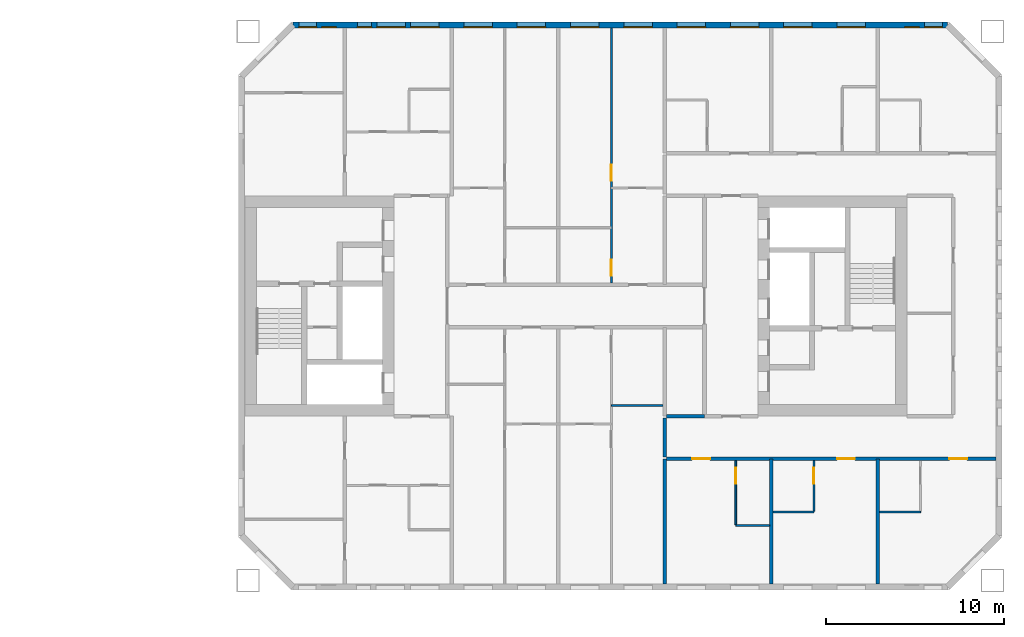
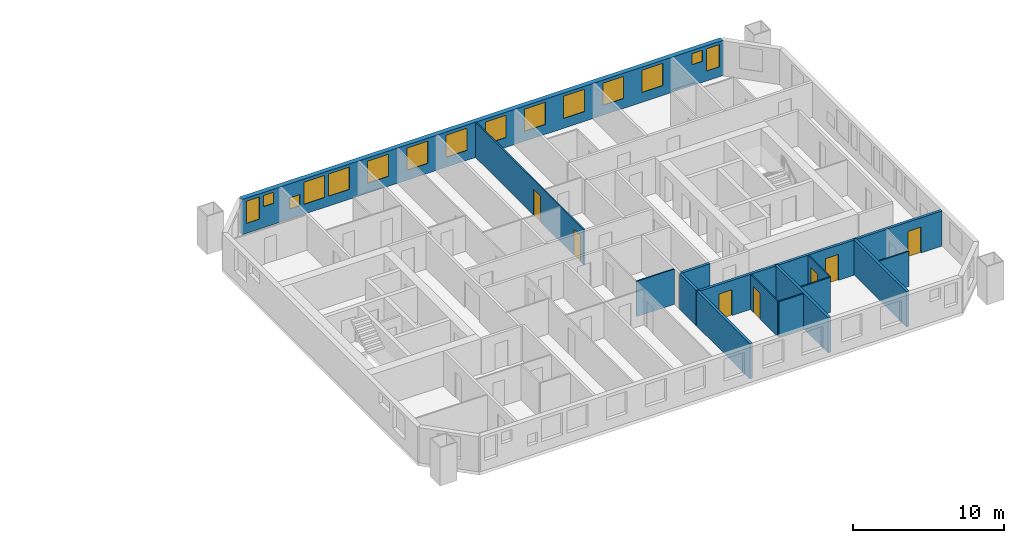
# One storey, part 12 of 17: 15 windows, 14 walls, 7 doors, 22 openings.
"""IFC4 building model written with IfcOpenShell, lengths in metres."""

from ifc_helpers import new_model, si_unit, direction, frame, frame_2d, origin, place, context, subcontext, project, spatial, rectangle, extrude, material, layer, layer_set, type_object, element, fill, save


model = new_model("IFC4")

# Units and contexts
model_context = context("Model", 3, precision=1e-05, world=origin(), true_north=direction((0.0, 1.0)))
body_context = subcontext(model_context, "Body", "Model", "MODEL_VIEW")
ifc_project = project(units=[si_unit("LENGTHUNIT", "METRE"), si_unit("AREAUNIT", "SQUARE_METRE"), si_unit("VOLUMEUNIT", "CUBIC_METRE"), si_unit("PLANEANGLEUNIT", "RADIAN"), si_unit("MASSUNIT", "GRAM", prefix="KILO")], contexts=[model_context])

# Site, building, storey
site_placement = place(None, origin())
site = spatial("IfcSite", under=ifc_project, at=site_placement, CompositionType="ELEMENT")
building_placement = place(site_placement, origin())
building = spatial("IfcBuilding", under=site, at=building_placement, Name="Tuart Gate Housing", CompositionType="ELEMENT")
storey_placement = place(building_placement, frame((0.0, 0.0, 99.5)))
storey = spatial("IfcBuildingStorey", under=building, at=storey_placement, Name="L27", CompositionType="ELEMENT", Elevation=99.5)

# Wall, openings, windows
ifc_material_1 = material(Name="Brick", Category="masonry")
ifc_layer_1 = layer(ifc_material_1, 0.360107421875)
ifc_layer_set_1 = layer_set([ifc_layer_1], Name="Brick pier and spandrel wall 360")
wall_type_1 = type_object("IfcWallType", Name="Brick pier and spandrel wall 360", PredefinedType="STANDARD", material=ifc_layer_set_1)
wall_1_placement = place(storey_placement, frame((170.92529296875, 85.820068359375, 0.0), z_axis=(0.0, 0.0, 1.0), x_axis=(-1.0, 0.0, 0.0)))
wall_1 = element("IfcWall", 1, at=wall_1_placement, inside=storey, type_object=wall_type_1, Name="External wall B-N L27", PredefinedType="STANDARD", context=body_context, shape_type="SweptSolid", body=[
    extrude(rectangle(XDim=36.850830078125, YDim=0.360107421875, at=frame_2d((18.42529296875, 0.0))), origin(), (0.0, 0.0, 1.0), 2.85009765625),
])
opening_1_placement = place(wall_1_placement, frame((0.300048828125, 0.0, 0.800048828125)))
opening_1 = element("IfcOpeningElement", 2, at=opening_1_placement, cuts=wall_1, Name="Opening W1C", PredefinedType="OPENING", context=body_context, shape_type="SweptSolid", body=[
    extrude(rectangle(XDim=1.0, YDim=1.800048828125, at=frame_2d((0.5, 0.89990234375))), frame((0.0, 0.18994140625, 0.0), z_axis=(0.0, -1.0, 0.0), x_axis=(1.0, 0.0, 0.0)), (0.0, 0.0, 1.0), 0.380126953125),
])
opening_2_placement = place(wall_1_placement, frame((4.62548828125, 0.0, 0.800048828125)))
opening_2 = element("IfcOpeningElement", 3, at=opening_2_placement, cuts=wall_1, Name="Opening W1", PredefinedType="OPENING", context=body_context, shape_type="SweptSolid", body=[
    extrude(rectangle(XDim=1.60009765625, YDim=1.800048828125, at=frame_2d((0.800048828125, 0.89990234375))), frame((0.0, 0.18994140625, 0.0), z_axis=(0.0, -1.0, 0.0), x_axis=(1.0, 0.0, 0.0)), (0.0, 0.0, 1.0), 0.380126953125),
])
opening_3_placement = place(wall_1_placement, frame((7.62548828125, 0.0, 0.800048828125)))
opening_3 = element("IfcOpeningElement", 4, at=opening_3_placement, cuts=wall_1, Name="Opening W1", PredefinedType="OPENING", context=body_context, shape_type="SweptSolid", body=[
    extrude(rectangle(XDim=1.60009765625, YDim=1.800048828125, at=frame_2d((0.800048828125, 0.89990234375))), frame((0.0, 0.18994140625, 0.0), z_axis=(0.0, -1.0, 0.0), x_axis=(1.0, 0.0, 0.0)), (0.0, 0.0, 1.0), 0.380126953125),
])
opening_4_placement = place(wall_1_placement, frame((10.62548828125, 0.0, 0.800048828125)))
opening_4 = element("IfcOpeningElement", 5, at=opening_4_placement, cuts=wall_1, Name="Opening W1", PredefinedType="OPENING", context=body_context, shape_type="SweptSolid", body=[
    extrude(rectangle(XDim=1.60009765625, YDim=1.800048828125, at=frame_2d((0.800048828125, 0.89990234375))), frame((0.0, 0.18994140625, 0.0), z_axis=(0.0, -1.0, 0.0), x_axis=(1.0, 0.0, 0.0)), (0.0, 0.0, 1.0), 0.380126953125),
])
opening_5_placement = place(wall_1_placement, frame((13.62548828125, 0.0, 0.800048828125)))
opening_5 = element("IfcOpeningElement", 6, at=opening_5_placement, cuts=wall_1, Name="Opening W1", PredefinedType="OPENING", context=body_context, shape_type="SweptSolid", body=[
    extrude(rectangle(XDim=1.60009765625, YDim=1.800048828125, at=frame_2d((0.800048828125, 0.89990234375))), frame((0.0, 0.18994140625, 0.0), z_axis=(0.0, -1.0, 0.0), x_axis=(1.0, 0.0, 0.0)), (0.0, 0.0, 1.0), 0.380126953125),
])
opening_6_placement = place(wall_1_placement, frame((16.62548828125, 0.0, 0.800048828125)))
opening_6 = element("IfcOpeningElement", 7, at=opening_6_placement, cuts=wall_1, Name="Opening W1", PredefinedType="OPENING", context=body_context, shape_type="SweptSolid", body=[
    extrude(rectangle(XDim=1.60009765625, YDim=1.800048828125, at=frame_2d((0.800048828125, 0.89990234375))), frame((0.0, 0.18994140625, 0.0), z_axis=(0.0, -1.0, 0.0), x_axis=(1.0, 0.0, 0.0)), (0.0, 0.0, 1.0), 0.380126953125),
])
opening_7_placement = place(wall_1_placement, frame((19.62548828125, 0.0, 0.800048828125)))
opening_7 = element("IfcOpeningElement", 8, at=opening_7_placement, cuts=wall_1, Name="Opening W1", PredefinedType="OPENING", context=body_context, shape_type="SweptSolid", body=[
    extrude(rectangle(XDim=1.60009765625, YDim=1.800048828125, at=frame_2d((0.800048828125, 0.89990234375))), frame((0.0, 0.18994140625, 0.0), z_axis=(0.0, -1.0, 0.0), x_axis=(1.0, 0.0, 0.0)), (0.0, 0.0, 1.0), 0.380126953125),
])
opening_8_placement = place(wall_1_placement, frame((22.62548828125, 0.0, 0.800048828125)))
opening_8 = element("IfcOpeningElement", 9, at=opening_8_placement, cuts=wall_1, Name="Opening W1", PredefinedType="OPENING", context=body_context, shape_type="SweptSolid", body=[
    extrude(rectangle(XDim=1.60009765625, YDim=1.800048828125, at=frame_2d((0.800048828125, 0.89990234375))), frame((0.0, 0.18994140625, 0.0), z_axis=(0.0, -1.0, 0.0), x_axis=(1.0, 0.0, 0.0)), (0.0, 0.0, 1.0), 0.380126953125),
])
opening_9_placement = place(wall_1_placement, frame((25.62548828125, 0.0, 0.800048828125)))
opening_9 = element("IfcOpeningElement", 10, at=opening_9_placement, cuts=wall_1, Name="Opening W1", PredefinedType="OPENING", context=body_context, shape_type="SweptSolid", body=[
    extrude(rectangle(XDim=1.60009765625, YDim=1.800048828125, at=frame_2d((0.800048828125, 0.89990234375))), frame((0.0, 0.18994140625, 0.0), z_axis=(0.0, -1.0, 0.0), x_axis=(1.0, 0.0, 0.0)), (0.0, 0.0, 1.0), 0.380126953125),
])
opening_10_placement = place(wall_1_placement, frame((28.62548828125, 0.0, 0.800048828125)))
opening_10 = element("IfcOpeningElement", 11, at=opening_10_placement, cuts=wall_1, Name="Opening W1", PredefinedType="OPENING", context=body_context, shape_type="SweptSolid", body=[
    extrude(rectangle(XDim=1.60009765625, YDim=1.800048828125, at=frame_2d((0.800048828125, 0.89990234375))), frame((0.0, 0.18994140625, 0.0), z_axis=(0.0, -1.0, 0.0), x_axis=(1.0, 0.0, 0.0)), (0.0, 0.0, 1.0), 0.380126953125),
])
opening_11_placement = place(wall_1_placement, frame((30.525390625, 0.0, 0.800048828125)))
opening_11 = element("IfcOpeningElement", 12, at=opening_11_placement, cuts=wall_1, Name="Opening W1", PredefinedType="OPENING", context=body_context, shape_type="SweptSolid", body=[
    extrude(rectangle(XDim=1.60009765625, YDim=1.800048828125, at=frame_2d((0.800048828125, 0.89990234375))), frame((0.0, 0.18994140625, 0.0), z_axis=(0.0, -1.0, 0.0), x_axis=(1.0, 0.0, 0.0)), (0.0, 0.0, 1.0), 0.380126953125),
])
opening_12_placement = place(wall_1_placement, frame((34.42529296875, 0.0, 1.699951171875)))
opening_12 = element("IfcOpeningElement", 13, at=opening_12_placement, cuts=wall_1, Name="Opening W1V", PredefinedType="OPENING", context=body_context, shape_type="SweptSolid", body=[
    extrude(rectangle(XDim=0.800048828125, YDim=0.89990234375, at=frame_2d((0.39990234375, 0.449951171875))), frame((0.0, 0.18994140625, 0.0), z_axis=(0.0, -1.0, 0.0), x_axis=(1.0, 0.0, 0.0)), (0.0, 0.0, 1.0), 0.380126953125),
])
opening_13_placement = place(wall_1_placement, frame((1.60009765625, 0.0, 1.699951171875)))
opening_13 = element("IfcOpeningElement", 14, at=opening_13_placement, cuts=wall_1, Name="Opening W1V", PredefinedType="OPENING", context=body_context, shape_type="SweptSolid", body=[
    extrude(rectangle(XDim=0.800048828125, YDim=0.89990234375, at=frame_2d((0.39990234375, 0.449951171875))), frame((0.0, 0.18994140625, 0.0), z_axis=(0.0, -1.0, 0.0), x_axis=(1.0, 0.0, 0.0)), (0.0, 0.0, 1.0), 0.380126953125),
])
opening_14_placement = place(wall_1_placement, frame((32.42529296875, 0.0, 0.800048828125)))
opening_14 = element("IfcOpeningElement", 15, at=opening_14_placement, cuts=wall_1, Name="Opening W1V", PredefinedType="OPENING", context=body_context, shape_type="SweptSolid", body=[
    extrude(rectangle(XDim=0.800048828125, YDim=0.89990234375, at=frame_2d((0.39990234375, 0.449951171875))), frame((0.0, 0.18994140625, 0.0), z_axis=(0.0, -1.0, 0.0), x_axis=(1.0, 0.0, 0.0)), (0.0, 0.0, 1.0), 0.380126953125),
])
opening_15_placement = place(wall_1_placement, frame((35.525390625, 0.0, 0.800048828125)))
opening_15 = element("IfcOpeningElement", 16, at=opening_15_placement, cuts=wall_1, Name="Opening W1C", PredefinedType="OPENING", context=body_context, shape_type="SweptSolid", body=[
    extrude(rectangle(XDim=1.0, YDim=1.800048828125, at=frame_2d((0.5, 0.89990234375))), frame((0.0, 0.18994140625, 0.0), z_axis=(0.0, -1.0, 0.0), x_axis=(1.0, 0.0, 0.0)), (0.0, 0.0, 1.0), 0.380126953125),
])
ifc_material_2 = material(Name="Aluminium frame with clear glass", Category="aluminium")
window_type_1 = type_object("IfcWindowType", Name="Punched window 1000 x 1800", PartitioningType="SINGLE_PANEL", PredefinedType="WINDOW", material=ifc_material_2)
window_1_placement = place(opening_1_placement, origin())
window_1 = element("IfcWindow", 17, at=window_1_placement, inside=storey, type_object=window_type_1, Name="Window W1C", OverallHeight=1.800048828125, OverallWidth=1.0, PartitioningType="SINGLE_PANEL", PredefinedType="WINDOW", context=body_context, shape_type="SweptSolid", body=[
    extrude(rectangle(XDim=1.0, YDim=1.800048828125, at=frame_2d((0.5, 0.89990234375))), frame((0.0, 0.150146484375, 0.0), z_axis=(0.0, -1.0, 0.0), x_axis=(1.0, 0.0, 0.0)), (0.0, 0.0, 1.0), 0.06005859375),
])
fill(opening_1, window_1)
window_2_placement = place(opening_15_placement, origin())
window_2 = element("IfcWindow", 18, at=window_2_placement, inside=storey, type_object=window_type_1, Name="Window W1C", OverallHeight=1.800048828125, OverallWidth=1.0, PartitioningType="SINGLE_PANEL", PredefinedType="WINDOW", context=body_context, shape_type="SweptSolid", body=[
    extrude(rectangle(XDim=1.0, YDim=1.800048828125, at=frame_2d((0.5, 0.89990234375))), frame((0.0, 0.150146484375, 0.0), z_axis=(0.0, -1.0, 0.0), x_axis=(1.0, 0.0, 0.0)), (0.0, 0.0, 1.0), 0.06005859375),
])
fill(opening_15, window_2)
ifc_material_3 = material(Name="Aluminium frame with clear glass", Category="aluminium")
window_type_2 = type_object("IfcWindowType", Name="Punched window 1600 x 1800", PartitioningType="SINGLE_PANEL", PredefinedType="WINDOW", material=ifc_material_3)
window_3_placement = place(opening_2_placement, origin())
window_3 = element("IfcWindow", 19, at=window_3_placement, inside=storey, type_object=window_type_2, Name="Window W1", OverallHeight=1.800048828125, OverallWidth=1.60009765625, PartitioningType="SINGLE_PANEL", PredefinedType="WINDOW", context=body_context, shape_type="SweptSolid", body=[
    extrude(rectangle(XDim=1.60009765625, YDim=1.800048828125, at=frame_2d((0.800048828125, 0.89990234375))), frame((0.0, 0.150146484375, 0.0), z_axis=(0.0, -1.0, 0.0), x_axis=(1.0, 0.0, 0.0)), (0.0, 0.0, 1.0), 0.06005859375),
])
fill(opening_2, window_3)
window_4_placement = place(opening_3_placement, origin())
window_4 = element("IfcWindow", 20, at=window_4_placement, inside=storey, type_object=window_type_2, Name="Window W1", OverallHeight=1.800048828125, OverallWidth=1.60009765625, PartitioningType="SINGLE_PANEL", PredefinedType="WINDOW", context=body_context, shape_type="SweptSolid", body=[
    extrude(rectangle(XDim=1.60009765625, YDim=1.800048828125, at=frame_2d((0.800048828125, 0.89990234375))), frame((0.0, 0.150146484375, 0.0), z_axis=(0.0, -1.0, 0.0), x_axis=(1.0, 0.0, 0.0)), (0.0, 0.0, 1.0), 0.06005859375),
])
fill(opening_3, window_4)
window_5_placement = place(opening_4_placement, origin())
window_5 = element("IfcWindow", 21, at=window_5_placement, inside=storey, type_object=window_type_2, Name="Window W1", OverallHeight=1.800048828125, OverallWidth=1.60009765625, PartitioningType="SINGLE_PANEL", PredefinedType="WINDOW", context=body_context, shape_type="SweptSolid", body=[
    extrude(rectangle(XDim=1.60009765625, YDim=1.800048828125, at=frame_2d((0.800048828125, 0.89990234375))), frame((0.0, 0.150146484375, 0.0), z_axis=(0.0, -1.0, 0.0), x_axis=(1.0, 0.0, 0.0)), (0.0, 0.0, 1.0), 0.06005859375),
])
fill(opening_4, window_5)
window_6_placement = place(opening_5_placement, origin())
window_6 = element("IfcWindow", 22, at=window_6_placement, inside=storey, type_object=window_type_2, Name="Window W1", OverallHeight=1.800048828125, OverallWidth=1.60009765625, PartitioningType="SINGLE_PANEL", PredefinedType="WINDOW", context=body_context, shape_type="SweptSolid", body=[
    extrude(rectangle(XDim=1.60009765625, YDim=1.800048828125, at=frame_2d((0.800048828125, 0.89990234375))), frame((0.0, 0.150146484375, 0.0), z_axis=(0.0, -1.0, 0.0), x_axis=(1.0, 0.0, 0.0)), (0.0, 0.0, 1.0), 0.06005859375),
])
fill(opening_5, window_6)
window_7_placement = place(opening_6_placement, origin())
window_7 = element("IfcWindow", 23, at=window_7_placement, inside=storey, type_object=window_type_2, Name="Window W1", OverallHeight=1.800048828125, OverallWidth=1.60009765625, PartitioningType="SINGLE_PANEL", PredefinedType="WINDOW", context=body_context, shape_type="SweptSolid", body=[
    extrude(rectangle(XDim=1.60009765625, YDim=1.800048828125, at=frame_2d((0.800048828125, 0.89990234375))), frame((0.0, 0.150146484375, 0.0), z_axis=(0.0, -1.0, 0.0), x_axis=(1.0, 0.0, 0.0)), (0.0, 0.0, 1.0), 0.06005859375),
])
fill(opening_6, window_7)
window_8_placement = place(opening_7_placement, origin())
window_8 = element("IfcWindow", 24, at=window_8_placement, inside=storey, type_object=window_type_2, Name="Window W1", OverallHeight=1.800048828125, OverallWidth=1.60009765625, PartitioningType="SINGLE_PANEL", PredefinedType="WINDOW", context=body_context, shape_type="SweptSolid", body=[
    extrude(rectangle(XDim=1.60009765625, YDim=1.800048828125, at=frame_2d((0.800048828125, 0.89990234375))), frame((0.0, 0.150146484375, 0.0), z_axis=(0.0, -1.0, 0.0), x_axis=(1.0, 0.0, 0.0)), (0.0, 0.0, 1.0), 0.06005859375),
])
fill(opening_7, window_8)
window_9_placement = place(opening_8_placement, origin())
window_9 = element("IfcWindow", 25, at=window_9_placement, inside=storey, type_object=window_type_2, Name="Window W1", OverallHeight=1.800048828125, OverallWidth=1.60009765625, PartitioningType="SINGLE_PANEL", PredefinedType="WINDOW", context=body_context, shape_type="SweptSolid", body=[
    extrude(rectangle(XDim=1.60009765625, YDim=1.800048828125, at=frame_2d((0.800048828125, 0.89990234375))), frame((0.0, 0.150146484375, 0.0), z_axis=(0.0, -1.0, 0.0), x_axis=(1.0, 0.0, 0.0)), (0.0, 0.0, 1.0), 0.06005859375),
])
fill(opening_8, window_9)
window_10_placement = place(opening_9_placement, origin())
window_10 = element("IfcWindow", 26, at=window_10_placement, inside=storey, type_object=window_type_2, Name="Window W1", OverallHeight=1.800048828125, OverallWidth=1.60009765625, PartitioningType="SINGLE_PANEL", PredefinedType="WINDOW", context=body_context, shape_type="SweptSolid", body=[
    extrude(rectangle(XDim=1.60009765625, YDim=1.800048828125, at=frame_2d((0.800048828125, 0.89990234375))), frame((0.0, 0.150146484375, 0.0), z_axis=(0.0, -1.0, 0.0), x_axis=(1.0, 0.0, 0.0)), (0.0, 0.0, 1.0), 0.06005859375),
])
fill(opening_9, window_10)
window_11_placement = place(opening_10_placement, origin())
window_11 = element("IfcWindow", 27, at=window_11_placement, inside=storey, type_object=window_type_2, Name="Window W1", OverallHeight=1.800048828125, OverallWidth=1.60009765625, PartitioningType="SINGLE_PANEL", PredefinedType="WINDOW", context=body_context, shape_type="SweptSolid", body=[
    extrude(rectangle(XDim=1.60009765625, YDim=1.800048828125, at=frame_2d((0.800048828125, 0.89990234375))), frame((0.0, 0.150146484375, 0.0), z_axis=(0.0, -1.0, 0.0), x_axis=(1.0, 0.0, 0.0)), (0.0, 0.0, 1.0), 0.06005859375),
])
fill(opening_10, window_11)
window_12_placement = place(opening_11_placement, origin())
window_12 = element("IfcWindow", 28, at=window_12_placement, inside=storey, type_object=window_type_2, Name="Window W1", OverallHeight=1.800048828125, OverallWidth=1.60009765625, PartitioningType="SINGLE_PANEL", PredefinedType="WINDOW", context=body_context, shape_type="SweptSolid", body=[
    extrude(rectangle(XDim=1.60009765625, YDim=1.800048828125, at=frame_2d((0.800048828125, 0.89990234375))), frame((0.0, 0.150146484375, 0.0), z_axis=(0.0, -1.0, 0.0), x_axis=(1.0, 0.0, 0.0)), (0.0, 0.0, 1.0), 0.06005859375),
])
fill(opening_11, window_12)
ifc_material_4 = material(Name="Aluminium frame with clear glass", Category="aluminium")
window_type_3 = type_object("IfcWindowType", Name="Punched window 800 x 900", PartitioningType="SINGLE_PANEL", PredefinedType="WINDOW", material=ifc_material_4)
window_13_placement = place(opening_12_placement, origin())
window_13 = element("IfcWindow", 29, at=window_13_placement, inside=storey, type_object=window_type_3, Name="Window W1V", OverallHeight=0.89990234375, OverallWidth=0.800048828125, PartitioningType="SINGLE_PANEL", PredefinedType="WINDOW", context=body_context, shape_type="SweptSolid", body=[
    extrude(rectangle(XDim=0.800048828125, YDim=0.89990234375, at=frame_2d((0.39990234375, 0.449951171875))), frame((0.0, 0.150146484375, 0.0), z_axis=(0.0, -1.0, 0.0), x_axis=(1.0, 0.0, 0.0)), (0.0, 0.0, 1.0), 0.06005859375),
])
fill(opening_12, window_13)
window_14_placement = place(opening_13_placement, origin())
window_14 = element("IfcWindow", 30, at=window_14_placement, inside=storey, type_object=window_type_3, Name="Window W1V", OverallHeight=0.89990234375, OverallWidth=0.800048828125, PartitioningType="SINGLE_PANEL", PredefinedType="WINDOW", context=body_context, shape_type="SweptSolid", body=[
    extrude(rectangle(XDim=0.800048828125, YDim=0.89990234375, at=frame_2d((0.39990234375, 0.449951171875))), frame((0.0, 0.150146484375, 0.0), z_axis=(0.0, -1.0, 0.0), x_axis=(1.0, 0.0, 0.0)), (0.0, 0.0, 1.0), 0.06005859375),
])
fill(opening_13, window_14)
window_15_placement = place(opening_14_placement, origin())
window_15 = element("IfcWindow", 31, at=window_15_placement, inside=storey, type_object=window_type_3, Name="Window W1V", OverallHeight=0.89990234375, OverallWidth=0.800048828125, PartitioningType="SINGLE_PANEL", PredefinedType="WINDOW", context=body_context, shape_type="SweptSolid", body=[
    extrude(rectangle(XDim=0.800048828125, YDim=0.89990234375, at=frame_2d((0.39990234375, 0.449951171875))), frame((0.0, 0.150146484375, 0.0), z_axis=(0.0, -1.0, 0.0), x_axis=(1.0, 0.0, 0.0)), (0.0, 0.0, 1.0), 0.06005859375),
])
fill(opening_14, window_15)

# Wall, openings, doors
ifc_material_5 = material(Name="Concrete masonry 15 MPa", Category="masonry")
ifc_layer_2 = layer(ifc_material_5, 0.199951171875)
ifc_layer_set_2 = layer_set([ifc_layer_2], Name="Corridor wall masonry 200")
wall_type_2 = type_object("IfcWallType", Name="Corridor wall masonry 200", PredefinedType="PARTITIONING", material=ifc_layer_set_2)
wall_2_placement = place(storey_placement, frame((155.10009765625, 61.39990234375, 0.0), z_axis=(0.0, 0.0, 1.0), x_axis=(1.0, 0.0, 0.0)))
wall_2 = element("IfcWall", 32, at=wall_2_placement, inside=storey, type_object=wall_type_2, Name="Corridor wall masonry 200", PredefinedType="PARTITIONING", context=body_context, shape_type="SweptSolid", body=[
    extrude(rectangle(XDim=18.539794921875, YDim=0.199951171875, at=frame_2d((9.27001953125, 0.0))), origin(), (0.0, 0.0, 1.0), 2.85009765625),
])
opening_16_placement = place(wall_2_placement, frame((1.449951171875, 0.0, 0.0)))
opening_16 = element("IfcOpeningElement", 33, at=opening_16_placement, cuts=wall_2, Name="Opening D1168", PredefinedType="OPENING", context=body_context, shape_type="SweptSolid", body=[
    extrude(rectangle(XDim=1.0, YDim=2.10009765625, at=frame_2d((0.5, 1.050048828125))), frame((0.0, 0.10986328125, 0.0), z_axis=(0.0, -1.0, 0.0), x_axis=(1.0, 0.0, 0.0)), (0.0, 0.0, 1.0), 0.219970703125),
])
opening_17_placement = place(wall_2_placement, frame((9.60009765625, 0.0, 0.0)))
opening_17 = element("IfcOpeningElement", 34, at=opening_17_placement, cuts=wall_2, Name="Opening D1169", PredefinedType="OPENING", context=body_context, shape_type="SweptSolid", body=[
    extrude(rectangle(XDim=1.0, YDim=2.10009765625, at=frame_2d((0.5, 1.050048828125))), frame((0.0, 0.10986328125, 0.0), z_axis=(0.0, -1.0, 0.0), x_axis=(1.0, 0.0, 0.0)), (0.0, 0.0, 1.0), 0.219970703125),
])
opening_18_placement = place(wall_2_placement, frame((15.919921875, 0.0, 0.0)))
opening_18 = element("IfcOpeningElement", 35, at=opening_18_placement, cuts=wall_2, Name="Opening D1170", PredefinedType="OPENING", context=body_context, shape_type="SweptSolid", body=[
    extrude(rectangle(XDim=1.0, YDim=2.10009765625, at=frame_2d((0.5, 1.050048828125))), frame((0.0, 0.10986328125, 0.0), z_axis=(0.0, -1.0, 0.0), x_axis=(1.0, 0.0, 0.0)), (0.0, 0.0, 1.0), 0.219970703125),
])
ifc_material_6 = material(Name="Timber door leaf in steel frame", Category="steel")
door_type_1 = type_object("IfcDoorType", Name="Flat entrance door 1000", OperationType="SINGLE_SWING_LEFT", PredefinedType="DOOR", material=ifc_material_6)
door_1_placement = place(opening_16_placement, frame((1.0, 0.0, 0.0), z_axis=(0.0, 0.0, 1.0), x_axis=(-1.0, 0.0, 0.0)))
door_1 = element("IfcDoor", 36, at=door_1_placement, inside=storey, type_object=door_type_1, Name="Flat entrance door", OperationType="SINGLE_SWING_LEFT", OverallHeight=2.10009765625, OverallWidth=1.0, PredefinedType="DOOR", context=body_context, shape_type="SweptSolid", body=[
    extrude(rectangle(XDim=1.0, YDim=2.10009765625, at=frame_2d((0.5, 1.050048828125))), frame((0.0, 0.025146484375, 0.0), z_axis=(0.0, -1.0, 0.0), x_axis=(1.0, 0.0, 0.0)), (0.0, 0.0, 1.0), 0.050048828125),
])
fill(opening_16, door_1)
ifc_material_7 = material(Name="Timber door leaf in steel frame", Category="steel")
door_type_2 = type_object("IfcDoorType", Name="Flat entrance door 1000 RH", OperationType="SINGLE_SWING_RIGHT", PredefinedType="DOOR", material=ifc_material_7)
door_2_placement = place(opening_17_placement, frame((1.0, 0.0, 0.0), z_axis=(0.0, 0.0, 1.0), x_axis=(-1.0, 0.0, 0.0)))
door_2 = element("IfcDoor", 37, at=door_2_placement, inside=storey, type_object=door_type_2, Name="Flat entrance door", OperationType="SINGLE_SWING_RIGHT", OverallHeight=2.10009765625, OverallWidth=1.0, PredefinedType="DOOR", context=body_context, shape_type="SweptSolid", body=[
    extrude(rectangle(XDim=1.0, YDim=2.10009765625, at=frame_2d((0.5, 1.050048828125))), frame((0.0, 0.025146484375, 0.0), z_axis=(0.0, -1.0, 0.0), x_axis=(1.0, 0.0, 0.0)), (0.0, 0.0, 1.0), 0.050048828125),
])
fill(opening_17, door_2)
door_3_placement = place(opening_18_placement, frame((1.0, 0.0, 0.0), z_axis=(0.0, 0.0, 1.0), x_axis=(-1.0, 0.0, 0.0)))
door_3 = element("IfcDoor", 38, at=door_3_placement, inside=storey, type_object=door_type_2, Name="Flat entrance door", OperationType="SINGLE_SWING_RIGHT", OverallHeight=2.10009765625, OverallWidth=1.0, PredefinedType="DOOR", context=body_context, shape_type="SweptSolid", body=[
    extrude(rectangle(XDim=1.0, YDim=2.10009765625, at=frame_2d((0.5, 1.050048828125))), frame((0.0, 0.025146484375, 0.0), z_axis=(0.0, -1.0, 0.0), x_axis=(1.0, 0.0, 0.0)), (0.0, 0.0, 1.0), 0.050048828125),
])
fill(opening_18, door_3)

# Walls
wall_3_placement = place(storey_placement, frame((155.10009765625, 63.800048828125, 0.0), z_axis=(0.0, 0.0, 1.0), x_axis=(1.0, 0.0, 0.0)))
element("IfcWall", 39, at=wall_3_placement, inside=storey, type_object=wall_type_2, Name="Corridor wall masonry 200", PredefinedType="PARTITIONING", context=body_context, shape_type="SweptSolid", body=[
    extrude(rectangle(XDim=2.139892578125, YDim=0.199951171875, at=frame_2d((1.06982421875, 0.0))), origin(), (0.0, 0.0, 1.0), 2.85009765625),
])
wall_4_placement = place(storey_placement, frame((155.0, 61.5, 0.0), z_axis=(0.0, 0.0, 1.0), x_axis=(0.0, 1.0, 0.0)))
element("IfcWall", 40, at=wall_4_placement, inside=storey, type_object=wall_type_2, Name="Corridor wall masonry 200", PredefinedType="PARTITIONING", context=body_context, shape_type="SweptSolid", body=[
    extrude(rectangle(XDim=2.199951171875, YDim=0.199951171875, at=frame_2d((1.10009765625, 0.0))), origin(), (0.0, 0.0, 1.0), 2.85009765625),
])
ifc_material_8 = material(Name="Gypsum board on steel studs", Category="steel")
ifc_layer_3 = layer(ifc_material_8, 0.10009765625)
ifc_layer_set_3 = layer_set([ifc_layer_3], Name="Partition 100")
wall_type_3 = type_object("IfcWallType", Name="Partition 100", PredefinedType="PARTITIONING", material=ifc_layer_set_3)
wall_5_placement = place(storey_placement, frame((159.0, 57.64990234375, 0.0), z_axis=(0.0, 0.0, 1.0), x_axis=(1.0, 0.0, 0.0)))
element("IfcWall", 41, at=wall_5_placement, inside=storey, type_object=wall_type_3, Name="Partition 100", PredefinedType="PARTITIONING", context=body_context, shape_type="SweptSolid", body=[
    extrude(rectangle(XDim=1.89990234375, YDim=0.10009765625, at=frame_2d((0.949951171875, 0.0))), origin(), (0.0, 0.0, 1.0), 2.85009765625),
])
for number, where, z_axis, x_axis, name in (
    (42, (161.10009765625, 58.39990234375, 0.0), (0.0, 0.0, 1.0), (1.0, 0.0, 0.0), "Partition 100"),
    (43, (167.10009765625, 58.39990234375, 0.0), (0.0, 0.0, 1.0), (1.0, 0.0, 0.0), "Partition 100"),
):
    element("IfcWall", number, at=place(storey_placement, frame(where, z_axis=z_axis, x_axis=x_axis)), inside=storey, type_object=wall_type_3, Name=name, PredefinedType="PARTITIONING", context=body_context, shape_type="SweptSolid", body=[
        extrude(rectangle(XDim=2.2998046875, YDim=0.10009765625, at=frame_2d((1.14990234375, 0.0))), origin(), (0.0, 0.0, 1.0), 2.85009765625),
    ])
wall_6_placement = place(storey_placement, frame((152.0, 64.39990234375, 0.0), z_axis=(0.0, 0.0, 1.0), x_axis=(1.0, 0.0, 0.0)))
element("IfcWall", 44, at=wall_6_placement, inside=storey, type_object=wall_type_3, Name="Partition 100", PredefinedType="PARTITIONING", context=body_context, shape_type="SweptSolid", body=[
    extrude(rectangle(XDim=2.89990234375, YDim=0.10009765625, at=frame_2d((1.449951171875, 0.0))), origin(), (0.0, 0.0, 1.0), 2.85009765625),
])

# Wall, openings, doors
wall_7_placement = place(storey_placement, frame((152.0, 71.300048828125, 0.0), z_axis=(0.0, 0.0, 1.0), x_axis=(0.0, 1.0, 0.0)))
wall_7 = element("IfcWall", 45, at=wall_7_placement, inside=storey, type_object=wall_type_3, Name="Partition 100", PredefinedType="PARTITIONING", context=body_context, shape_type="SweptSolid", body=[
    extrude(rectangle(XDim=14.33984375, YDim=0.10009765625, at=frame_2d((7.169921875, 0.0))), origin(), (0.0, 0.0, 1.0), 2.85009765625),
])
opening_19_placement = place(wall_7_placement, frame((5.739990234375, 0.0, 0.0)))
opening_19 = element("IfcOpeningElement", 46, at=opening_19_placement, cuts=wall_7, Name="Opening D1138", PredefinedType="OPENING", context=body_context, shape_type="SweptSolid", body=[
    extrude(rectangle(XDim=0.89990234375, YDim=2.10009765625, at=frame_2d((0.449951171875, 1.050048828125))), frame((0.0, 0.06005859375, 0.0), z_axis=(0.0, -1.0, 0.0), x_axis=(1.0, 0.0, 0.0)), (0.0, 0.0, 1.0), 0.1201171875),
])
opening_20_placement = place(wall_7_placement, frame((0.39990234375, 0.0, 0.0)))
opening_20 = element("IfcOpeningElement", 47, at=opening_20_placement, cuts=wall_7, Name="Opening D1137", PredefinedType="OPENING", context=body_context, shape_type="SweptSolid", body=[
    extrude(rectangle(XDim=0.89990234375, YDim=2.10009765625, at=frame_2d((0.449951171875, 1.050048828125))), frame((0.0, 0.06005859375, 0.0), z_axis=(0.0, -1.0, 0.0), x_axis=(1.0, 0.0, 0.0)), (0.0, 0.0, 1.0), 0.1201171875),
])
ifc_material_9 = material(Name="Timber door leaf in steel frame", Category="steel")
door_type_3 = type_object("IfcDoorType", Name="Bathroom door 900", OperationType="SINGLE_SWING_LEFT", PredefinedType="DOOR", material=ifc_material_9)
door_4_placement = place(opening_20_placement, origin())
door_4 = element("IfcDoor", 48, at=door_4_placement, inside=storey, type_object=door_type_3, Name="Bathroom door", OperationType="SINGLE_SWING_LEFT", OverallHeight=2.10009765625, OverallWidth=0.89990234375, PredefinedType="DOOR", context=body_context, shape_type="SweptSolid", body=[
    extrude(rectangle(XDim=0.89990234375, YDim=2.10009765625, at=frame_2d((0.449951171875, 1.050048828125))), frame((0.0, 0.02490234375, 0.0), z_axis=(0.0, -1.0, 0.0), x_axis=(1.0, 0.0, 0.0)), (0.0, 0.0, 1.0), 0.050048828125),
])
fill(opening_20, door_4)
ifc_material_10 = material(Name="Timber door leaf in steel frame", Category="steel")
door_type_4 = type_object("IfcDoorType", Name="Internal door 900", OperationType="SINGLE_SWING_LEFT", PredefinedType="DOOR", material=ifc_material_10)
door_5_placement = place(opening_19_placement, origin())
door_5 = element("IfcDoor", 49, at=door_5_placement, inside=storey, type_object=door_type_4, Name="Internal door", OperationType="SINGLE_SWING_LEFT", OverallHeight=2.10009765625, OverallWidth=0.89990234375, PredefinedType="DOOR", context=body_context, shape_type="SweptSolid", body=[
    extrude(rectangle(XDim=0.89990234375, YDim=2.10009765625, at=frame_2d((0.449951171875, 1.050048828125))), frame((0.0, 0.02490234375, 0.0), z_axis=(0.0, -1.0, 0.0), x_axis=(1.0, 0.0, 0.0)), (0.0, 0.0, 1.0), 0.050048828125),
])
fill(opening_19, door_5)

# Wall, opening, door
wall_8_placement = place(storey_placement, frame((159.0, 57.699951171875, 0.0), z_axis=(0.0, 0.0, 1.0), x_axis=(0.0, 1.0, 0.0)))
wall_8 = element("IfcWall", 50, at=wall_8_placement, inside=storey, type_object=wall_type_3, Name="Partition 100", PredefinedType="PARTITIONING", context=body_context, shape_type="SweptSolid", body=[
    extrude(rectangle(XDim=3.60009765625, YDim=0.10009765625, at=frame_2d((1.800048828125, 0.0))), origin(), (0.0, 0.0, 1.0), 2.85009765625),
])
opening_21_placement = place(wall_8_placement, frame((2.300048828125, 0.0, 0.0)))
opening_21 = element("IfcOpeningElement", 51, at=opening_21_placement, cuts=wall_8, Name="Opening D1175", PredefinedType="OPENING", context=body_context, shape_type="SweptSolid", body=[
    extrude(rectangle(XDim=0.89990234375, YDim=2.10009765625, at=frame_2d((0.449951171875, 1.050048828125))), frame((0.0, 0.06005859375, 0.0), z_axis=(0.0, -1.0, 0.0), x_axis=(1.0, 0.0, 0.0)), (0.0, 0.0, 1.0), 0.1201171875),
])
door_6_placement = place(opening_21_placement, frame((0.89990234375, 0.0, 0.0), z_axis=(0.0, 0.0, 1.0), x_axis=(-1.0, 0.0, 0.0)))
door_6 = element("IfcDoor", 52, at=door_6_placement, inside=storey, type_object=door_type_3, Name="Bathroom door", OperationType="SINGLE_SWING_LEFT", OverallHeight=2.10009765625, OverallWidth=0.89990234375, PredefinedType="DOOR", context=body_context, shape_type="SweptSolid", body=[
    extrude(rectangle(XDim=0.89990234375, YDim=2.10009765625, at=frame_2d((0.449951171875, 1.050048828125))), frame((0.0, 0.025146484375, 0.0), z_axis=(0.0, -1.0, 0.0), x_axis=(1.0, 0.0, 0.0)), (0.0, 0.0, 1.0), 0.050048828125),
])
fill(opening_21, door_6)

wall_9_placement = place(storey_placement, frame((163.39990234375, 58.449951171875, 0.0), z_axis=(0.0, 0.0, 1.0), x_axis=(0.0, 1.0, 0.0)))
wall_9 = element("IfcWall", 53, at=wall_9_placement, inside=storey, type_object=wall_type_3, Name="Partition 100", PredefinedType="PARTITIONING", context=body_context, shape_type="SweptSolid", body=[
    extrude(rectangle(XDim=2.85009765625, YDim=0.10009765625, at=frame_2d((1.425048828125, 0.0))), origin(), (0.0, 0.0, 1.0), 2.85009765625),
])
opening_22_placement = place(wall_9_placement, frame((1.550048828125, 0.0, 0.0)))
opening_22 = element("IfcOpeningElement", 54, at=opening_22_placement, cuts=wall_9, Name="Opening D1173", PredefinedType="OPENING", context=body_context, shape_type="SweptSolid", body=[
    extrude(rectangle(XDim=0.89990234375, YDim=2.10009765625, at=frame_2d((0.449951171875, 1.050048828125))), frame((0.0, 0.06005859375, 0.0), z_axis=(0.0, -1.0, 0.0), x_axis=(1.0, 0.0, 0.0)), (0.0, 0.0, 1.0), 0.1201171875),
])
ifc_material_11 = material(Name="Timber door leaf in steel frame", Category="steel")
door_type_5 = type_object("IfcDoorType", Name="Bathroom door 900 RH", OperationType="SINGLE_SWING_RIGHT", PredefinedType="DOOR", material=ifc_material_11)
door_7_placement = place(opening_22_placement, origin())
door_7 = element("IfcDoor", 55, at=door_7_placement, inside=storey, type_object=door_type_5, Name="Bathroom door", OperationType="SINGLE_SWING_RIGHT", OverallHeight=2.10009765625, OverallWidth=0.89990234375, PredefinedType="DOOR", context=body_context, shape_type="SweptSolid", body=[
    extrude(rectangle(XDim=0.89990234375, YDim=2.10009765625, at=frame_2d((0.449951171875, 1.050048828125))), frame((0.0, 0.02490234375, 0.0), z_axis=(0.0, -1.0, 0.0), x_axis=(1.0, 0.0, 0.0)), (0.0, 0.0, 1.0), 0.050048828125),
])
fill(opening_22, door_7)

# Walls
ifc_material_12 = material(Name="Concrete C40", Category="concrete")
ifc_layer_4 = layer(ifc_material_12, 0.199951171875)
ifc_layer_set_4 = layer_set([ifc_layer_4], Name="Party wall concrete C40 200")
wall_type_4 = type_object("IfcWallType", Name="Party wall concrete C40 200", PredefinedType="SOLIDWALL", material=ifc_layer_set_4)
for number, where, z_axis, x_axis, name in (
    (56, (155.0, 54.360107421875, 0.0), (0.0, 0.0, 1.0), (0.0, 1.0, 0.0), "Party wall concrete C40 200"),
    (57, (161.0, 54.360107421875, 0.0), (0.0, 0.0, 1.0), (0.0, 1.0, 0.0), "Party wall concrete C40 200"),
    (58, (167.0, 54.360107421875, 0.0), (0.0, 0.0, 1.0), (0.0, 1.0, 0.0), "Party wall concrete C40 200"),
):
    element("IfcWall", number, at=place(storey_placement, frame(where, z_axis=z_axis, x_axis=x_axis)), inside=storey, type_object=wall_type_4, Name=name, PredefinedType="SOLIDWALL", context=body_context, shape_type="SweptSolid", body=[
        extrude(rectangle(XDim=7.039794921875, YDim=0.199951171875, at=frame_2d((3.52001953125, 0.0))), origin(), (0.0, 0.0, 1.0), 2.85009765625),
    ])

save(model, "model.ifc")
